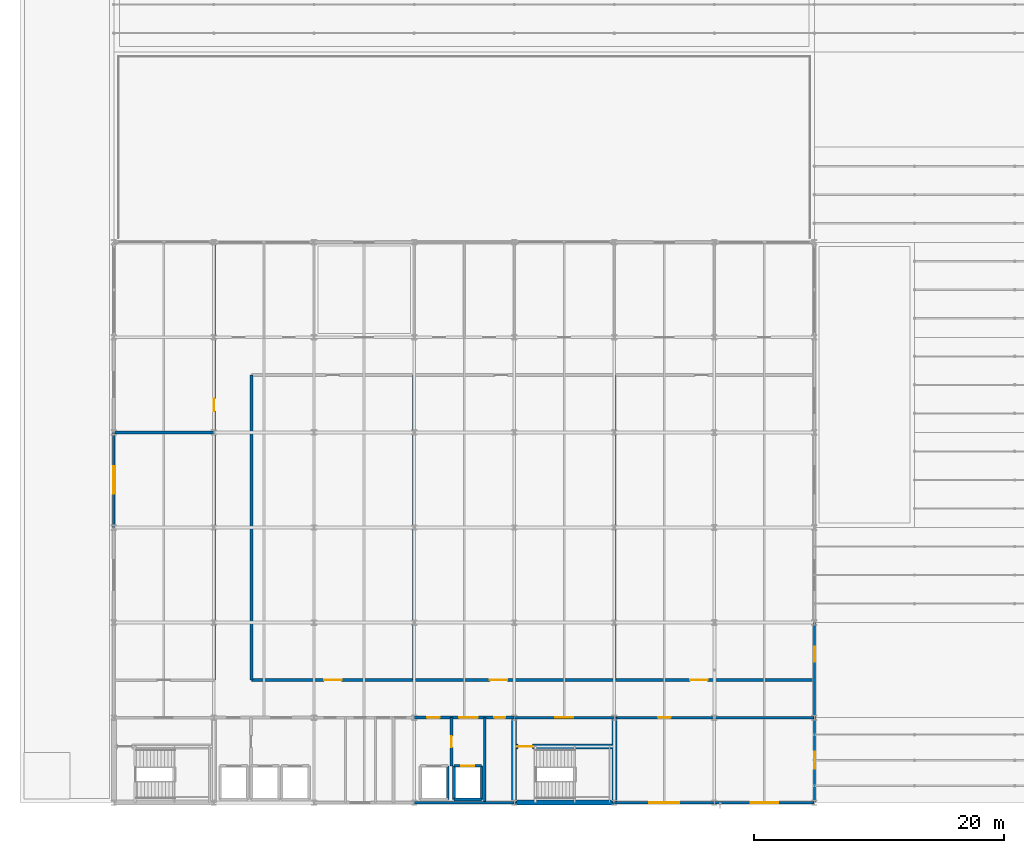
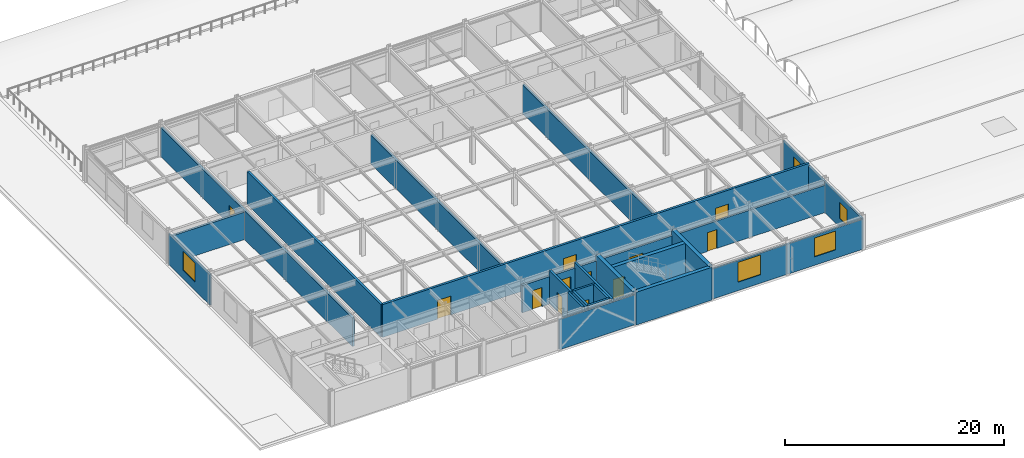
# One storey, part 41 of 46: 26 walls, 12 doors, 5 windows, 17 openings.
"""IFC4 building model written with IfcOpenShell, lengths in metres."""

from ifc_helpers import new_model, si_unit, direction, frame, frame_2d, origin, place, context, subcontext, project, spatial, rectangle, extrude, material, layer, layer_set, type_object, element, fill, save


model = new_model("IFC4")

# Units and contexts
model_context = context("Model", 3, precision=1e-05, world=origin(), true_north=direction((0.0, 1.0)))
body_context = subcontext(model_context, "Body", "Model", "MODEL_VIEW")
ifc_project = project(units=[si_unit("LENGTHUNIT", "METRE"), si_unit("AREAUNIT", "SQUARE_METRE"), si_unit("VOLUMEUNIT", "CUBIC_METRE"), si_unit("PLANEANGLEUNIT", "RADIAN"), si_unit("MASSUNIT", "GRAM", prefix="KILO")], contexts=[model_context])

# Site, building, storey
site_placement = place(None, origin())
site = spatial("IfcSite", under=ifc_project, at=site_placement, CompositionType="ELEMENT")
building_placement = place(site_placement, origin())
building = spatial("IfcBuilding", under=site, at=building_placement, Name="Shalkamar Park Central Library", CompositionType="ELEMENT")
storey_placement = place(building_placement, frame((0.0, 0.0, 20.39990234375)))
storey = spatial("IfcBuildingStorey", under=building, at=storey_placement, Name="L05", CompositionType="ELEMENT", Elevation=20.39990234375)

# Wall, opening, door
ifc_material_1 = material(Name="Reinforced fire-compartment masonry wall", Category="masonry")
ifc_layer_1 = layer(ifc_material_1, 0.239990234375)
ifc_layer_set_1 = layer_set([ifc_layer_1], Name="CompartmentWall_240")
wall_type_1 = type_object("IfcWallType", Name="Compartment Wall 240", PredefinedType="PARTITIONING", material=ifc_layer_set_1)
wall_1_placement = place(storey_placement, frame((192.0, 251.35009765625, 0.0), z_axis=(0.0, 0.0, 1.0), x_axis=(0.0, 1.0, 0.0)))
wall_1 = element("IfcWall", 1, at=wall_1_placement, inside=storey, type_object=wall_type_1, Name="Interior Partition WL-INT-L05-002", PredefinedType="PARTITIONING", context=body_context, shape_type="SweptSolid", body=[
    extrude(rectangle(XDim=3.849853515625, YDim=0.239990234375, at=frame_2d((1.9248046875, 0.0))), origin(), (0.0, 0.0, 1.0), 3.66015625),
])
opening_1_placement = place(wall_1_placement, frame((1.47509765625, 0.0, 0.0)))
opening_1 = element("IfcOpeningElement", 2, at=opening_1_placement, cuts=wall_1, Name="Opening DR-L05-002", PredefinedType="OPENING", context=body_context, shape_type="SweptSolid", body=[
    extrude(rectangle(XDim=0.89990234375, YDim=2.10009765625, at=frame_2d((0.449951171875, 1.050048828125))), frame((0.0, 0.134765625, 0.0), z_axis=(0.0, -1.0, 0.0), x_axis=(1.0, 0.0, 0.0)), (0.0, 0.0, 1.0), 0.269775390625),
])
ifc_material_2 = material(Name="Steel S355", Category="steel")
door_type_1 = type_object("IfcDoorType", Name="Fire Door Single 900x2100", OperationType="NOTDEFINED", PredefinedType="DOOR", material=ifc_material_2)
door_1_placement = place(opening_1_placement, frame((0.89990234375, 0.0, 0.0), z_axis=(0.0, 0.0, 1.0), x_axis=(-1.0, 0.0, 0.0)))
door_1 = element("IfcDoor", 3, at=door_1_placement, inside=storey, type_object=door_type_1, Name="Fire Lobby Interconnect Door", OperationType="SINGLE_SWING_LEFT", OverallHeight=2.10009765625, OverallWidth=0.89990234375, PredefinedType="DOOR", context=body_context, shape_type="SweptSolid", body=[
    extrude(rectangle(XDim=0.89990234375, YDim=2.10009765625, at=frame_2d((0.449951171875, 1.050048828125))), frame((0.0, 0.02490234375, 0.0), z_axis=(0.0, -1.0, 0.0), x_axis=(1.0, 0.0, 0.0)), (0.0, 0.0, 1.0), 0.050048828125),
])
fill(opening_1, door_1)

# Wall, openings, doors
wall_2_placement = place(storey_placement, frame((189.0, 255.199951171875, 0.0), z_axis=(0.0, 0.0, 1.0), x_axis=(1.0, 0.0, 0.0)))
wall_2 = element("IfcWall", 4, at=wall_2_placement, inside=storey, type_object=wall_type_1, Name="Interior Partition WL-INT-L05-009", PredefinedType="PARTITIONING", context=body_context, shape_type="SweptSolid", body=[
    extrude(rectangle(XDim=8.0, YDim=0.239990234375, at=frame_2d((4.0, 0.0))), origin(), (0.0, 0.0, 1.0), 3.05810546875),
])
opening_2_placement = place(wall_2_placement, frame((1.050048828125, 0.0, 0.0)))
opening_2 = element("IfcOpeningElement", 5, at=opening_2_placement, cuts=wall_2, Name="Opening DR-L05-009", PredefinedType="OPENING", context=body_context, shape_type="SweptSolid", body=[
    extrude(rectangle(XDim=1.0, YDim=2.10009765625, at=frame_2d((0.5, 1.050048828125))), frame((0.0, 0.134765625, 0.0), z_axis=(0.0, -1.0, 0.0), x_axis=(1.0, 0.0, 0.0)), (0.0, 0.0, 1.0), 0.269775390625),
])
opening_3_placement = place(wall_2_placement, frame((3.60009765625, 0.0, 0.0)))
opening_3 = element("IfcOpeningElement", 6, at=opening_3_placement, cuts=wall_2, Name="Opening DR-L05-010", PredefinedType="OPENING", context=body_context, shape_type="SweptSolid", body=[
    extrude(rectangle(XDim=1.5, YDim=2.25, at=frame_2d((0.75, 1.125))), frame((0.0, 0.134765625, 0.0), z_axis=(0.0, -1.0, 0.0), x_axis=(1.0, 0.0, 0.0)), (0.0, 0.0, 1.0), 0.269775390625),
])
opening_4_placement = place(wall_2_placement, frame((6.425048828125, 0.0, 0.0)))
opening_4 = element("IfcOpeningElement", 7, at=opening_4_placement, cuts=wall_2, Name="Opening DR-L05-011", PredefinedType="OPENING", context=body_context, shape_type="SweptSolid", body=[
    extrude(rectangle(XDim=0.85009765625, YDim=2.10009765625, at=frame_2d((0.425048828125, 1.050048828125))), frame((0.0, 0.134765625, 0.0), z_axis=(0.0, -1.0, 0.0), x_axis=(1.0, 0.0, 0.0)), (0.0, 0.0, 1.0), 0.269775390625),
])
door_type_2 = type_object("IfcDoorType", Name="Fire Door Riser 850x2100", OperationType="NOTDEFINED", PredefinedType="DOOR", material=ifc_material_2)
door_2_placement = place(opening_4_placement, frame((0.85009765625, 0.0, 0.0), z_axis=(0.0, 0.0, 1.0), x_axis=(-1.0, 0.0, 0.0)))
door_2 = element("IfcDoor", 8, at=door_2_placement, inside=storey, type_object=door_type_2, Name="Mechanical Riser Access Door", OperationType="SINGLE_SWING_LEFT", OverallHeight=2.10009765625, OverallWidth=0.85009765625, PredefinedType="DOOR", context=body_context, shape_type="SweptSolid", body=[
    extrude(rectangle(XDim=0.85009765625, YDim=2.10009765625, at=frame_2d((0.425048828125, 1.050048828125))), frame((0.0, 0.02490234375, 0.0), z_axis=(0.0, -1.0, 0.0), x_axis=(1.0, 0.0, 0.0)), (0.0, 0.0, 1.0), 0.050048828125),
])
fill(opening_4, door_2)
door_type_3 = type_object("IfcDoorType", Name="Fire Door Single 1000x2100", OperationType="NOTDEFINED", PredefinedType="DOOR", material=ifc_material_2)
door_3_placement = place(opening_2_placement, origin())
door_3 = element("IfcDoor", 9, at=door_3_placement, inside=storey, type_object=door_type_3, Name="East Firefighting Lobby Door", OperationType="SINGLE_SWING_LEFT", OverallHeight=2.10009765625, OverallWidth=1.0, PredefinedType="DOOR", context=body_context, shape_type="SweptSolid", body=[
    extrude(rectangle(XDim=1.0, YDim=2.10009765625, at=frame_2d((0.5, 1.050048828125))), frame((0.0, 0.02490234375, 0.0), z_axis=(0.0, -1.0, 0.0), x_axis=(1.0, 0.0, 0.0)), (0.0, 0.0, 1.0), 0.050048828125),
])
fill(opening_2, door_3)
door_type_4 = type_object("IfcDoorType", Name="Interior Door Double 1500x2250", OperationType="DOUBLE_DOOR_SINGLE_SWING", PredefinedType="DOOR", material=ifc_material_2)
door_4_placement = place(opening_3_placement, origin())
door_4 = element("IfcDoor", 10, at=door_4_placement, inside=storey, type_object=door_type_4, Name="East Lift Lobby Entrance", OperationType="DOUBLE_DOOR_SINGLE_SWING", OverallHeight=2.25, OverallWidth=1.5, PredefinedType="DOOR", context=body_context, shape_type="SweptSolid", body=[
    extrude(rectangle(XDim=1.5, YDim=2.25, at=frame_2d((0.75, 1.125))), frame((0.0, 0.02490234375, 0.0), z_axis=(0.0, -1.0, 0.0), x_axis=(1.0, 0.0, 0.0)), (0.0, 0.0, 1.0), 0.050048828125),
])
fill(opening_3, door_4)

# Wall, opening, door
wall_3_placement = place(storey_placement, frame((173.0, 258.199951171875, 0.0), z_axis=(0.0, 0.0, 1.0), x_axis=(0.0, 1.0, 0.0)))
wall_3 = element("IfcWall", 11, at=wall_3_placement, inside=storey, type_object=wall_type_1, Name="Interior Partition WL-INT-L05-012", PredefinedType="PARTITIONING", context=body_context, shape_type="SweptSolid", body=[
    extrude(rectangle(XDim=35.0, YDim=0.239990234375, at=frame_2d((17.5, 0.0))), origin(), (0.0, 0.0, 1.0), 3.2080078125),
])
opening_5_placement = place(wall_3_placement, frame((21.5, 0.0, 0.0)))
opening_5 = element("IfcOpeningElement", 12, at=opening_5_placement, cuts=wall_3, Name="Opening DR-L05-014", PredefinedType="OPENING", context=body_context, shape_type="SweptSolid", body=[
    extrude(rectangle(XDim=1.0, YDim=2.10009765625, at=frame_2d((0.5, 1.050048828125))), frame((0.0, 0.134765625, 0.0), z_axis=(0.0, -1.0, 0.0), x_axis=(1.0, 0.0, 0.0)), (0.0, 0.0, 1.0), 0.269775390625),
])
door_type_5 = type_object("IfcDoorType", Name="Interior Door Single 1000x2100", OperationType="NOTDEFINED", PredefinedType="DOOR", material=ifc_material_2)
door_5_placement = place(opening_5_placement, origin())
door_5 = element("IfcDoor", 13, at=door_5_placement, inside=storey, type_object=door_type_5, Name="L05 West Carrel Suite Door", OperationType="SINGLE_SWING_RIGHT", OverallHeight=2.10009765625, OverallWidth=1.0, PredefinedType="DOOR", context=body_context, shape_type="SweptSolid", body=[
    extrude(rectangle(XDim=1.0, YDim=2.10009765625, at=frame_2d((0.5, 1.050048828125))), frame((0.0, 0.02490234375, 0.0), z_axis=(0.0, -1.0, 0.0), x_axis=(1.0, 0.0, 0.0)), (0.0, 0.0, 1.0), 0.050048828125),
])
fill(opening_5, door_5)

# Walls
wall_4_placement = place(storey_placement, frame((165.0, 278.0, 0.0), z_axis=(0.0, 0.0, 1.0), x_axis=(1.0, 0.0, 0.0)))
element("IfcWall", 14, at=wall_4_placement, inside=storey, type_object=wall_type_1, Name="Interior Partition WL-INT-L05-013", PredefinedType="PARTITIONING", context=body_context, shape_type="SweptSolid", body=[
    extrude(rectangle(XDim=8.0, YDim=0.239990234375, at=frame_2d((4.0, 0.0))), origin(), (0.0, 0.0, 1.0), 3.05810546875),
])
wall_5_placement = place(storey_placement, frame((176.0, 258.199951171875, 0.0), z_axis=(0.0, 0.0, 1.0), x_axis=(0.0, 1.0, 0.0)))
element("IfcWall", 15, at=wall_5_placement, inside=storey, type_object=wall_type_1, Name="Interior Partition WL-INT-L05-014", PredefinedType="PARTITIONING", context=body_context, shape_type="SweptSolid", body=[
    extrude(rectangle(XDim=24.400146484375, YDim=0.239990234375, at=frame_2d((12.2001953125, 0.0))), origin(), (0.0, 0.0, 1.0), 3.66015625),
])

# Wall, openings, doors
wall_6_placement = place(storey_placement, frame((176.0, 258.199951171875, 0.0), z_axis=(0.0, 0.0, 1.0), x_axis=(1.0, 0.0, 0.0)))
wall_6 = element("IfcWall", 16, at=wall_6_placement, inside=storey, type_object=wall_type_1, Name="Interior Partition WL-INT-L05-015", PredefinedType="PARTITIONING", context=body_context, shape_type="SweptSolid", body=[
    extrude(rectangle(XDim=45.0, YDim=0.239990234375, at=frame_2d((22.5, 0.0))), origin(), (0.0, 0.0, 1.0), 3.66015625),
])
opening_6_placement = place(wall_6_placement, frame((5.800048828125, 0.0, 0.0)))
opening_6 = element("IfcOpeningElement", 17, at=opening_6_placement, cuts=wall_6, Name="Opening DR-L05-015", PredefinedType="OPENING", context=body_context, shape_type="SweptSolid", body=[
    extrude(rectangle(XDim=1.39990234375, YDim=2.10009765625, at=frame_2d((0.699951171875, 1.050048828125))), frame((0.0, 0.134765625, 0.0), z_axis=(0.0, -1.0, 0.0), x_axis=(1.0, 0.0, 0.0)), (0.0, 0.0, 1.0), 0.269775390625),
])
opening_7_placement = place(wall_6_placement, frame((19.06005859375, 0.0, 0.0)))
opening_7 = element("IfcOpeningElement", 18, at=opening_7_placement, cuts=wall_6, Name="Opening DR-L05-016", PredefinedType="OPENING", context=body_context, shape_type="SweptSolid", body=[
    extrude(rectangle(XDim=1.39990234375, YDim=2.10009765625, at=frame_2d((0.699951171875, 1.050048828125))), frame((0.0, 0.134765625, 0.0), z_axis=(0.0, -1.0, 0.0), x_axis=(1.0, 0.0, 0.0)), (0.0, 0.0, 1.0), 0.269775390625),
])
opening_8_placement = place(wall_6_placement, frame((35.06005859375, 0.0, 0.0)))
opening_8 = element("IfcOpeningElement", 19, at=opening_8_placement, cuts=wall_6, Name="Opening DR-L05-017", PredefinedType="OPENING", context=body_context, shape_type="SweptSolid", body=[
    extrude(rectangle(XDim=1.39990234375, YDim=2.10009765625, at=frame_2d((0.699951171875, 1.050048828125))), frame((0.0, 0.134765625, 0.0), z_axis=(0.0, -1.0, 0.0), x_axis=(1.0, 0.0, 0.0)), (0.0, 0.0, 1.0), 0.269775390625),
])
door_type_6 = type_object("IfcDoorType", Name="Fire Door Double 1400x2100", OperationType="DOUBLE_DOOR_SINGLE_SWING", PredefinedType="DOOR", material=ifc_material_2)
door_6_placement = place(opening_6_placement, origin())
door_6 = element("IfcDoor", 20, at=door_6_placement, inside=storey, type_object=door_type_6, Name="L05 Closed Stacks A Door", OperationType="DOUBLE_DOOR_SINGLE_SWING", OverallHeight=2.10009765625, OverallWidth=1.39990234375, PredefinedType="DOOR", context=body_context, shape_type="SweptSolid", body=[
    extrude(rectangle(XDim=1.39990234375, YDim=2.10009765625, at=frame_2d((0.699951171875, 1.050048828125))), frame((0.0, 0.02490234375, 0.0), z_axis=(0.0, -1.0, 0.0), x_axis=(1.0, 0.0, 0.0)), (0.0, 0.0, 1.0), 0.050048828125),
])
fill(opening_6, door_6)
door_7_placement = place(opening_7_placement, origin())
door_7 = element("IfcDoor", 21, at=door_7_placement, inside=storey, type_object=door_type_6, Name="L05 Closed Stacks B Door", OperationType="DOUBLE_DOOR_SINGLE_SWING", OverallHeight=2.10009765625, OverallWidth=1.39990234375, PredefinedType="DOOR", context=body_context, shape_type="SweptSolid", body=[
    extrude(rectangle(XDim=1.39990234375, YDim=2.10009765625, at=frame_2d((0.699951171875, 1.050048828125))), frame((0.0, 0.02490234375, 0.0), z_axis=(0.0, -1.0, 0.0), x_axis=(1.0, 0.0, 0.0)), (0.0, 0.0, 1.0), 0.050048828125),
])
fill(opening_7, door_7)
door_8_placement = place(opening_8_placement, origin())
door_8 = element("IfcDoor", 22, at=door_8_placement, inside=storey, type_object=door_type_6, Name="L05 Closed Stacks C Door", OperationType="DOUBLE_DOOR_SINGLE_SWING", OverallHeight=2.10009765625, OverallWidth=1.39990234375, PredefinedType="DOOR", context=body_context, shape_type="SweptSolid", body=[
    extrude(rectangle(XDim=1.39990234375, YDim=2.10009765625, at=frame_2d((0.699951171875, 1.050048828125))), frame((0.0, 0.02490234375, 0.0), z_axis=(0.0, -1.0, 0.0), x_axis=(1.0, 0.0, 0.0)), (0.0, 0.0, 1.0), 0.050048828125),
])
fill(opening_8, door_8)

# Walls
for number, where, z_axis, x_axis, name in (
    (23, (189.0, 258.199951171875, 0.0), (0.0, 0.0, 1.0), (0.0, 1.0, 0.0), "Interior Partition WL-INT-L05-017"),
    (24, (205.0, 258.199951171875, 0.0), (0.0, 0.0, 1.0), (0.0, 1.0, 0.0), "Interior Partition WL-INT-L05-018"),
):
    element("IfcWall", number, at=place(storey_placement, frame(where, z_axis=z_axis, x_axis=x_axis)), inside=storey, type_object=wall_type_1, Name=name, PredefinedType="PARTITIONING", context=body_context, shape_type="SweptSolid", body=[
        extrude(rectangle(XDim=24.400146484375, YDim=0.239990234375, at=frame_2d((12.2001953125, 0.0))), origin(), (0.0, 0.0, 1.0), 3.2080078125),
    ])

# Wall, opening, door
ifc_material_3 = material(Name="Fire-rated corridor partition wall", Category="masonry")
ifc_layer_2 = layer(ifc_material_3, 0.199951171875)
ifc_layer_set_2 = layer_set([ifc_layer_2], Name="CorridorFireWall_200")
wall_type_2 = type_object("IfcWallType", Name="Corridor Fire Wall 200", PredefinedType="PARTITIONING", material=ifc_layer_set_2)
wall_7_placement = place(storey_placement, frame((197.0, 255.199951171875, 0.0), z_axis=(0.0, 0.0, 1.0), x_axis=(1.0, 0.0, 0.0)))
wall_7 = element("IfcWall", 25, at=wall_7_placement, inside=storey, type_object=wall_type_2, Name="CORE-T2 Vestibule North Wall (L05)", PredefinedType="PARTITIONING", context=body_context, shape_type="SweptSolid", body=[
    extrude(rectangle(XDim=8.0, YDim=0.199951171875, at=frame_2d((4.0, 0.0))), origin(), (0.0, 0.0, 1.0), 3.05810546875),
])
opening_9_placement = place(wall_7_placement, frame((3.27490234375, 0.0, 0.0)))
opening_9 = element("IfcOpeningElement", 26, at=opening_9_placement, cuts=wall_7, Name="Opening DR-ST-T2-L05-VEST", PredefinedType="OPENING", context=body_context, shape_type="SweptSolid", body=[
    extrude(rectangle(XDim=1.449951171875, YDim=2.199951171875, at=frame_2d((0.72509765625, 1.10009765625))), frame((0.0, 0.11474609375, 0.0), z_axis=(0.0, -1.0, 0.0), x_axis=(1.0, 0.0, 0.0)), (0.0, 0.0, 1.0), 0.229736328125),
])
door_type_7 = type_object("IfcDoorType", Name="Stair Vestibule Door 1450x2200", OperationType="DOUBLE_DOOR_SINGLE_SWING", PredefinedType="DOOR", material=ifc_material_2)
door_9_placement = place(opening_9_placement, frame((1.449951171875, 0.0, 0.0), z_axis=(0.0, 0.0, 1.0), x_axis=(-1.0, 0.0, 0.0)))
door_9 = element("IfcDoor", 27, at=door_9_placement, inside=storey, type_object=door_type_7, Name="Protected Stair ST-T2 Vestibule Door (L05)", OperationType="DOUBLE_DOOR_SINGLE_SWING", OverallHeight=2.199951171875, OverallWidth=1.449951171875, PredefinedType="DOOR", context=body_context, shape_type="SweptSolid", body=[
    extrude(rectangle(XDim=1.449951171875, YDim=2.199951171875, at=frame_2d((0.72509765625, 1.10009765625))), frame((0.0, 0.02490234375, 0.0), z_axis=(0.0, -1.0, 0.0), x_axis=(1.0, 0.0, 0.0)), (0.0, 0.0, 1.0), 0.050048828125),
])
fill(opening_9, door_9)

wall_8_placement = place(storey_placement, frame((205.0, 255.199951171875, 0.0), z_axis=(0.0, 0.0, 1.0), x_axis=(1.0, 0.0, 0.0)))
wall_8 = element("IfcWall", 28, at=wall_8_placement, inside=storey, type_object=wall_type_2, Name="Interior Partition WL-INT-L05-010", PredefinedType="PARTITIONING", context=body_context, shape_type="SweptSolid", body=[
    extrude(rectangle(XDim=16.0, YDim=0.199951171875, at=frame_2d((8.0, 0.0))), origin(), (0.0, 0.0, 1.0), 3.05810546875),
])
opening_10_placement = place(wall_8_placement, frame((3.5, 0.0, 0.0)))
opening_10 = element("IfcOpeningElement", 29, at=opening_10_placement, cuts=wall_8, Name="Opening DR-L05-012", PredefinedType="OPENING", context=body_context, shape_type="SweptSolid", body=[
    extrude(rectangle(XDim=1.0, YDim=2.10009765625, at=frame_2d((0.5, 1.050048828125))), frame((0.0, 0.11474609375, 0.0), z_axis=(0.0, -1.0, 0.0), x_axis=(1.0, 0.0, 0.0)), (0.0, 0.0, 1.0), 0.229736328125),
])
door_10_placement = place(opening_10_placement, frame((1.0, 0.0, 0.0), z_axis=(0.0, 0.0, 1.0), x_axis=(-1.0, 0.0, 0.0)))
door_10 = element("IfcDoor", 30, at=door_10_placement, inside=storey, type_object=door_type_5, Name="L05 Bibliographic Office Door", OperationType="SINGLE_SWING_RIGHT", OverallHeight=2.10009765625, OverallWidth=1.0, PredefinedType="DOOR", context=body_context, shape_type="SweptSolid", body=[
    extrude(rectangle(XDim=1.0, YDim=2.10009765625, at=frame_2d((0.5, 1.050048828125))), frame((0.0, 0.02490234375, 0.0), z_axis=(0.0, -1.0, 0.0), x_axis=(1.0, 0.0, 0.0)), (0.0, 0.0, 1.0), 0.050048828125),
])
fill(opening_10, door_10)

# Walls
ifc_material_4 = material(Name="Concrete C40/50", Category="concrete")
ifc_layer_3 = layer(ifc_material_4, 0.219970703125)
ifc_layer_set_3 = layer_set([ifc_layer_3], Name="Concrete C40/50")
wall_type_3 = type_object("IfcWallType", Name="Lift Hoistway Shear Wall 220", PredefinedType="SHEAR", material=ifc_layer_set_3)
wall_9_placement = place(storey_placement, frame((191.699951171875, 248.64990234375, 0.0), z_axis=(0.0, 0.0, 1.0), x_axis=(0.0, 1.0, 0.0)))
element("IfcWall", 31, at=wall_9_placement, inside=storey, type_object=wall_type_3, Name="Lift FFL-02 Hoistway East Wall (L05)", PredefinedType="SHEAR", context=body_context, shape_type="SweptSolid", body=[
    extrude(rectangle(XDim=2.7001953125, YDim=0.219970703125, at=frame_2d((1.35009765625, 0.0))), origin(), (0.0, 0.0, 1.0), 3.66015625),
])
wall_10_placement = place(storey_placement, frame((192.199951171875, 248.64990234375, 0.0), z_axis=(0.0, 0.0, 1.0), x_axis=(1.0, 0.0, 0.0)))
element("IfcWall", 32, at=wall_10_placement, inside=storey, type_object=wall_type_3, Name="Lift LT-03 Hoistway South Wall (L05)", PredefinedType="SHEAR", context=body_context, shape_type="SweptSolid", body=[
    extrude(rectangle(XDim=2.199951171875, YDim=0.219970703125, at=frame_2d((1.10009765625, 0.0))), origin(), (0.0, 0.0, 1.0), 3.66015625),
])
for number, where, z_axis, x_axis, name in (
    (33, (192.199951171875, 248.64990234375, 0.0), (0.0, 0.0, 1.0), (0.0, 1.0, 0.0), "Lift LT-03 Hoistway West Wall (L05)"),
    (34, (194.39990234375, 248.64990234375, 0.0), (0.0, 0.0, 1.0), (0.0, 1.0, 0.0), "Lift LT-03 Hoistway East Wall (L05)"),
):
    element("IfcWall", number, at=place(storey_placement, frame(where, z_axis=z_axis, x_axis=x_axis)), inside=storey, type_object=wall_type_3, Name=name, PredefinedType="SHEAR", context=body_context, shape_type="SweptSolid", body=[
        extrude(rectangle(XDim=2.7001953125, YDim=0.219970703125, at=frame_2d((1.35009765625, 0.0))), origin(), (0.0, 0.0, 1.0), 3.66015625),
    ])

# Wall, opening, door
wall_11_placement = place(storey_placement, frame((192.199951171875, 251.35009765625, 0.0), z_axis=(0.0, 0.0, 1.0), x_axis=(1.0, 0.0, 0.0)))
wall_11 = element("IfcWall", 35, at=wall_11_placement, inside=storey, type_object=wall_type_3, Name="Lift LT-03 Hoistway Front Wall (L05)", PredefinedType="SHEAR", context=body_context, shape_type="SweptSolid", body=[
    extrude(rectangle(XDim=2.199951171875, YDim=0.219970703125, at=frame_2d((1.10009765625, 0.0))), origin(), (0.0, 0.0, 1.0), 3.66015625),
])
opening_11_placement = place(wall_11_placement, frame((0.574951171875, 0.0, 0.0)))
opening_11 = element("IfcOpeningElement", 36, at=opening_11_placement, cuts=wall_11, Name="Opening LD-LT-03-L05", PredefinedType="OPENING", context=body_context, shape_type="SweptSolid", body=[
    extrude(rectangle(XDim=1.050048828125, YDim=2.14990234375, at=frame_2d((0.52490234375, 1.074951171875))), frame((0.0, 0.125, 0.0), z_axis=(0.0, -1.0, 0.0), x_axis=(1.0, 0.0, 0.0)), (0.0, 0.0, 1.0), 0.249755859375),
])
door_type_8 = type_object("IfcDoorType", Name="Passenger Lift Landing Door 1050x2150", OperationType="DOUBLE_DOOR_SLIDING", PredefinedType="USERDEFINED", material=ifc_material_2)
door_11_placement = place(opening_11_placement, origin())
door_11 = element("IfcDoor", 37, at=door_11_placement, inside=storey, type_object=door_type_8, Name="Lift LT-03 Sliding Landing Door (L05)", ObjectType="SLIDING LANDING DOOR", OperationType="DOUBLE_DOOR_SLIDING", OverallHeight=2.14990234375, OverallWidth=1.050048828125, PredefinedType="USERDEFINED", context=body_context, shape_type="SweptSolid", body=[
    extrude(rectangle(XDim=1.050048828125, YDim=2.14990234375, at=frame_2d((0.52490234375, 1.074951171875))), frame((0.0, 0.02490234375, 0.0), z_axis=(0.0, -1.0, 0.0), x_axis=(1.0, 0.0, 0.0)), (0.0, 0.0, 1.0), 0.050048828125),
])
fill(opening_11, door_11)

# Walls
ifc_material_5 = material(Name="Fire-rated shaft enclosure wall", Category="masonry")
ifc_layer_4 = layer(ifc_material_5, 0.219970703125)
ifc_layer_set_4 = layer_set([ifc_layer_4], Name="ShaftWall_220")
wall_type_4 = type_object("IfcWallType", Name="Shaft Wall 220", PredefinedType="PARTITIONING", material=ifc_layer_set_4)
wall_12_placement = place(storey_placement, frame((194.64990234375, 248.39990234375, 0.0), z_axis=(0.0, 0.0, 1.0), x_axis=(0.0, 1.0, 0.0)))
element("IfcWall", 38, at=wall_12_placement, inside=storey, type_object=wall_type_4, Name="Interior Partition WL-INT-L05-003", PredefinedType="PARTITIONING", context=body_context, shape_type="SweptSolid", body=[
    extrude(rectangle(XDim=6.800048828125, YDim=0.219970703125, at=frame_2d((3.39990234375, 0.0))), origin(), (0.0, 0.0, 1.0), 3.66015625),
])
ifc_layer_5 = layer(ifc_material_4, 0.39990234375)
ifc_layer_set_5 = layer_set([ifc_layer_5], Name="Concrete C40/50")
wall_type_5 = type_object("IfcWallType", Name="Tower Core Shear Wall 400", PredefinedType="SHEAR", material=ifc_layer_set_5)
wall_13_placement = place(storey_placement, frame((197.0, 248.39990234375, 0.0), z_axis=(0.0, 0.0, 1.0), x_axis=(1.0, 0.0, 0.0)))
element("IfcWall", 39, at=wall_13_placement, inside=storey, type_object=wall_type_5, Name="CORE-T2 South Shear Wall (L05)", PredefinedType="SHEAR", context=body_context, shape_type="SweptSolid", body=[
    extrude(rectangle(XDim=8.0, YDim=0.39990234375, at=frame_2d((4.0, 0.0))), origin(), (0.0, 0.0, 1.0), 3.66015625),
])
for number, where, z_axis, x_axis, name in (
    (40, (197.0, 248.39990234375, 0.0), (0.0, 0.0, 1.0), (0.0, 1.0, 0.0), "CORE-T2 West Shear Wall (L05)"),
    (41, (205.0, 248.39990234375, 0.0), (0.0, 0.0, 1.0), (0.0, 1.0, 0.0), "CORE-T2 East Shear Wall (L05)"),
):
    element("IfcWall", number, at=place(storey_placement, frame(where, z_axis=z_axis, x_axis=x_axis)), inside=storey, type_object=wall_type_5, Name=name, PredefinedType="SHEAR", context=body_context, shape_type="SweptSolid", body=[
        extrude(rectangle(XDim=6.800048828125, YDim=0.39990234375, at=frame_2d((3.39990234375, 0.0))), origin(), (0.0, 0.0, 1.0), 3.66015625),
    ])

# Wall, opening, door
wall_14_placement = place(storey_placement, frame((197.0, 252.89990234375, 0.0), z_axis=(0.0, 0.0, 1.0), x_axis=(1.0, 0.0, 0.0)))
wall_14 = element("IfcWall", 42, at=wall_14_placement, inside=storey, type_object=wall_type_5, Name="CORE-T2 Stairwell Wall (L05)", PredefinedType="SHEAR", context=body_context, shape_type="SweptSolid", body=[
    extrude(rectangle(XDim=8.0, YDim=0.39990234375, at=frame_2d((4.0, 0.0))), origin(), (0.0, 0.0, 1.0), 3.66015625),
])
opening_12_placement = place(wall_14_placement, frame((0.300048828125, 0.0, 0.0)))
opening_12 = element("IfcOpeningElement", 43, at=opening_12_placement, cuts=wall_14, Name="Opening DR-ST-T2-L05-IN", PredefinedType="OPENING", context=body_context, shape_type="SweptSolid", body=[
    extrude(rectangle(XDim=1.14990234375, YDim=2.14990234375, at=frame_2d((0.574951171875, 1.074951171875))), frame((0.0, 0.21484375, 0.0), z_axis=(0.0, -1.0, 0.0), x_axis=(1.0, 0.0, 0.0)), (0.0, 0.0, 1.0), 0.4296875),
])
door_type_9 = type_object("IfcDoorType", Name="Stair Core Exit Door 1150x2150", OperationType="NOTDEFINED", PredefinedType="DOOR", material=ifc_material_2)
door_12_placement = place(opening_12_placement, frame((1.14990234375, 0.0, 0.0), z_axis=(0.0, 0.0, 1.0), x_axis=(-1.0, 0.0, 0.0)))
door_12 = element("IfcDoor", 44, at=door_12_placement, inside=storey, type_object=door_type_9, Name="Protected Stair ST-T2 Exit Door (L05)", OperationType="SINGLE_SWING_RIGHT", OverallHeight=2.14990234375, OverallWidth=1.14990234375, PredefinedType="DOOR", context=body_context, shape_type="SweptSolid", body=[
    extrude(rectangle(XDim=1.14990234375, YDim=2.14990234375, at=frame_2d((0.574951171875, 1.074951171875))), frame((0.0, 0.02490234375, 0.0), z_axis=(0.0, -1.0, 0.0), x_axis=(1.0, 0.0, 0.0)), (0.0, 0.0, 1.0), 0.050048828125),
])
fill(opening_12, door_12)

# Wall
ifc_material_6 = material(Name="Terracotta insulated wall panel", Category="masonry")
ifc_layer_6 = layer(ifc_material_6, 0.179931640625)
ifc_layer_set_6 = layer_set([ifc_layer_6], Name="TowerSpandrelWall_180")
wall_type_6 = type_object("IfcWallType", Name="Tower Spandrel Wall 180", PredefinedType="SOLIDWALL", material=ifc_layer_set_6)
wall_15_placement = place(storey_placement, frame((189.006103515625, 248.39990234375, 0.0), z_axis=(0.0, 0.0, 1.0), x_axis=(1.0, 0.0, 0.0)))
element("IfcWall", 45, at=wall_15_placement, inside=storey, type_object=wall_type_6, Name="Exterior Facade Wall WL-EXT-L05-129", PredefinedType="SOLIDWALL", context=body_context, shape_type="SweptSolid", body=[
    extrude(rectangle(XDim=7.98779296875, YDim=0.179931640625, at=frame_2d((3.993896484375, 0.0))), origin(), (0.0, 0.0, 1.0), 3.34814453125),
])

# Wall, opening, window
wall_16_placement = place(storey_placement, frame((205.006103515625, 248.39990234375, 0.0), z_axis=(0.0, 0.0, 1.0), x_axis=(1.0, 0.0, 0.0)))
wall_16 = element("IfcWall", 46, at=wall_16_placement, inside=storey, type_object=wall_type_6, Name="Exterior Facade Wall WL-EXT-L05-130", PredefinedType="SOLIDWALL", context=body_context, shape_type="SweptSolid", body=[
    extrude(rectangle(XDim=7.98779296875, YDim=0.179931640625, at=frame_2d((3.993896484375, 0.0))), origin(), (0.0, 0.0, 1.0), 3.34814453125),
])
opening_13_placement = place(wall_16_placement, frame((2.7939453125, 0.0, 0.949951171875)))
opening_13 = element("IfcOpeningElement", 47, at=opening_13_placement, cuts=wall_16, Name="Opening WN-09", PredefinedType="OPENING", context=body_context, shape_type="SweptSolid", body=[
    extrude(rectangle(XDim=2.39990234375, YDim=2.199951171875, at=frame_2d((1.199951171875, 1.10009765625))), frame((0.0, 0.10498046875, 0.0), z_axis=(0.0, -1.0, 0.0), x_axis=(1.0, 0.0, 0.0)), (0.0, 0.0, 1.0), 0.209716796875),
])
ifc_material_7 = material(Name="Thermally broken aluminium and triple low-e glass", Category="glass")
window_type_1 = type_object("IfcWindowType", Name="Tower Window 2400x2200", PartitioningType="DOUBLE_PANEL_VERTICAL", PredefinedType="WINDOW", material=ifc_material_7)
window_1_placement = place(opening_13_placement, origin())
window_1 = element("IfcWindow", 48, at=window_1_placement, inside=storey, type_object=window_type_1, Name="Facade Window WN-L05-086", OverallHeight=2.199951171875, OverallWidth=2.39990234375, PartitioningType="DOUBLE_PANEL_VERTICAL", PredefinedType="WINDOW", context=body_context, shape_type="SweptSolid", body=[
    extrude(rectangle(XDim=2.39990234375, YDim=2.199951171875, at=frame_2d((1.199951171875, 1.10009765625))), frame((0.0, 0.030029296875, 0.0), z_axis=(0.0, -1.0, 0.0), x_axis=(1.0, 0.0, 0.0)), (0.0, 0.0, 1.0), 0.06005859375),
])
fill(opening_13, window_1)

wall_17_placement = place(storey_placement, frame((213.006103515625, 248.39990234375, 0.0), z_axis=(0.0, 0.0, 1.0), x_axis=(1.0, 0.0, 0.0)))
wall_17 = element("IfcWall", 49, at=wall_17_placement, inside=storey, type_object=wall_type_6, Name="Exterior Facade Wall WL-EXT-L05-131", PredefinedType="SOLIDWALL", context=body_context, shape_type="SweptSolid", body=[
    extrude(rectangle(XDim=7.98779296875, YDim=0.179931640625, at=frame_2d((3.993896484375, 0.0))), origin(), (0.0, 0.0, 1.0), 3.34814453125),
])
opening_14_placement = place(wall_17_placement, frame((2.89404296875, 0.0, 0.949951171875)))
opening_14 = element("IfcOpeningElement", 50, at=opening_14_placement, cuts=wall_17, Name="Opening WN-10", PredefinedType="OPENING", context=body_context, shape_type="SweptSolid", body=[
    extrude(rectangle(XDim=2.199951171875, YDim=2.10009765625, at=frame_2d((1.10009765625, 1.050048828125))), frame((0.0, 0.10498046875, 0.0), z_axis=(0.0, -1.0, 0.0), x_axis=(1.0, 0.0, 0.0)), (0.0, 0.0, 1.0), 0.209716796875),
])
window_type_2 = type_object("IfcWindowType", Name="Tower Window 2200x2100", PartitioningType="DOUBLE_PANEL_VERTICAL", PredefinedType="WINDOW", material=ifc_material_7)
window_2_placement = place(opening_14_placement, origin())
window_2 = element("IfcWindow", 51, at=window_2_placement, inside=storey, type_object=window_type_2, Name="Facade Window WN-L05-087", OverallHeight=2.10009765625, OverallWidth=2.199951171875, PartitioningType="DOUBLE_PANEL_VERTICAL", PredefinedType="WINDOW", context=body_context, shape_type="SweptSolid", body=[
    extrude(rectangle(XDim=2.199951171875, YDim=2.10009765625, at=frame_2d((1.10009765625, 1.050048828125))), frame((0.0, 0.030029296875, 0.0), z_axis=(0.0, -1.0, 0.0), x_axis=(1.0, 0.0, 0.0)), (0.0, 0.0, 1.0), 0.06005859375),
])
fill(opening_14, window_2)

wall_18_placement = place(storey_placement, frame((165.0, 270.406005859375, 0.0), z_axis=(0.0, 0.0, 1.0), x_axis=(0.0, 1.0, 0.0)))
wall_18 = element("IfcWall", 52, at=wall_18_placement, inside=storey, type_object=wall_type_6, Name="Exterior Facade Wall WL-EXT-L05-136", PredefinedType="SOLIDWALL", context=body_context, shape_type="SweptSolid", body=[
    extrude(rectangle(XDim=7.587890625, YDim=0.179931640625, at=frame_2d((3.7939453125, 0.0))), origin(), (0.0, 0.0, 1.0), 3.38818359375),
])
opening_15_placement = place(wall_18_placement, frame((2.694091796875, 0.0, 0.949951171875)))
opening_15 = element("IfcOpeningElement", 53, at=opening_15_placement, cuts=wall_18, Name="Opening WN-10", PredefinedType="OPENING", context=body_context, shape_type="SweptSolid", body=[
    extrude(rectangle(XDim=2.199951171875, YDim=2.10009765625, at=frame_2d((1.10009765625, 1.050048828125))), frame((0.0, 0.10498046875, 0.0), z_axis=(0.0, -1.0, 0.0), x_axis=(1.0, 0.0, 0.0)), (0.0, 0.0, 1.0), 0.209716796875),
])
window_3_placement = place(opening_15_placement, origin())
window_3 = element("IfcWindow", 54, at=window_3_placement, inside=storey, type_object=window_type_2, Name="Facade Window WN-L05-089", OverallHeight=2.10009765625, OverallWidth=2.199951171875, PartitioningType="DOUBLE_PANEL_VERTICAL", PredefinedType="WINDOW", context=body_context, shape_type="SweptSolid", body=[
    extrude(rectangle(XDim=2.199951171875, YDim=2.10009765625, at=frame_2d((1.10009765625, 1.050048828125))), frame((0.0, 0.030029296875, 0.0), z_axis=(0.0, -1.0, 0.0), x_axis=(1.0, 0.0, 0.0)), (0.0, 0.0, 1.0), 0.06005859375),
])
fill(opening_15, window_3)

wall_19_placement = place(storey_placement, frame((221.0, 248.406005859375, 0.0), z_axis=(0.0, 0.0, 1.0), x_axis=(0.0, 1.0, 0.0)))
wall_19 = element("IfcWall", 55, at=wall_19_placement, inside=storey, type_object=wall_type_6, Name="Exterior Facade Wall WL-EXT-L05-138", PredefinedType="SOLIDWALL", context=body_context, shape_type="SweptSolid", body=[
    extrude(rectangle(XDim=6.7880859375, YDim=0.179931640625, at=frame_2d((3.39404296875, 0.0))), origin(), (0.0, 0.0, 1.0), 3.427978515625),
])
opening_16_placement = place(wall_19_placement, frame((2.718994140625, 0.0, 0.949951171875)))
opening_16 = element("IfcOpeningElement", 56, at=opening_16_placement, cuts=wall_19, Name="Opening WN-15", PredefinedType="OPENING", context=body_context, shape_type="SweptSolid", body=[
    extrude(rectangle(XDim=1.35009765625, YDim=1.800048828125, at=frame_2d((0.675048828125, 0.89990234375))), frame((0.0, 0.10498046875, 0.0), z_axis=(0.0, -1.0, 0.0), x_axis=(1.0, 0.0, 0.0)), (0.0, 0.0, 1.0), 0.209716796875),
])
window_type_3 = type_object("IfcWindowType", Name="Tower Window 1350x1800", PartitioningType="SINGLE_PANEL", PredefinedType="WINDOW", material=ifc_material_7)
window_4_placement = place(opening_16_placement, origin())
window_4 = element("IfcWindow", 57, at=window_4_placement, inside=storey, type_object=window_type_3, Name="Facade Window WN-L05-091", OverallHeight=1.800048828125, OverallWidth=1.35009765625, PartitioningType="SINGLE_PANEL", PredefinedType="WINDOW", context=body_context, shape_type="SweptSolid", body=[
    extrude(rectangle(XDim=1.35009765625, YDim=1.800048828125, at=frame_2d((0.675048828125, 0.89990234375))), frame((0.0, 0.030029296875, 0.0), z_axis=(0.0, -1.0, 0.0), x_axis=(1.0, 0.0, 0.0)), (0.0, 0.0, 1.0), 0.06005859375),
])
fill(opening_16, window_4)

wall_20_placement = place(storey_placement, frame((221.0, 255.2060546875, 0.0), z_axis=(0.0, 0.0, 1.0), x_axis=(0.0, 1.0, 0.0)))
wall_20 = element("IfcWall", 58, at=wall_20_placement, inside=storey, type_object=wall_type_6, Name="Exterior Facade Wall WL-EXT-L05-139", PredefinedType="SOLIDWALL", context=body_context, shape_type="SweptSolid", body=[
    extrude(rectangle(XDim=7.587890625, YDim=0.179931640625, at=frame_2d((3.7939453125, 0.0))), origin(), (0.0, 0.0, 1.0), 3.38818359375),
])
opening_17_placement = place(wall_20_placement, frame((4.466064453125, 0.0, 0.949951171875)))
opening_17 = element("IfcOpeningElement", 59, at=opening_17_placement, cuts=wall_20, Name="Opening WN-16", PredefinedType="OPENING", context=body_context, shape_type="SweptSolid", body=[
    extrude(rectangle(XDim=1.199951171875, YDim=1.800048828125, at=frame_2d((0.60009765625, 0.89990234375))), frame((0.0, 0.10498046875, 0.0), z_axis=(0.0, -1.0, 0.0), x_axis=(1.0, 0.0, 0.0)), (0.0, 0.0, 1.0), 0.209716796875),
])
window_type_4 = type_object("IfcWindowType", Name="Tower Window 1200x1800", PartitioningType="SINGLE_PANEL", PredefinedType="WINDOW", material=ifc_material_7)
window_5_placement = place(opening_17_placement, origin())
window_5 = element("IfcWindow", 60, at=window_5_placement, inside=storey, type_object=window_type_4, Name="Facade Window WN-L05-092", OverallHeight=1.800048828125, OverallWidth=1.199951171875, PartitioningType="SINGLE_PANEL", PredefinedType="WINDOW", context=body_context, shape_type="SweptSolid", body=[
    extrude(rectangle(XDim=1.199951171875, YDim=1.800048828125, at=frame_2d((0.60009765625, 0.89990234375))), frame((0.0, 0.030029296875, 0.0), z_axis=(0.0, -1.0, 0.0), x_axis=(1.0, 0.0, 0.0)), (0.0, 0.0, 1.0), 0.06005859375),
])
fill(opening_17, window_5)

save(model, "model.ifc")
